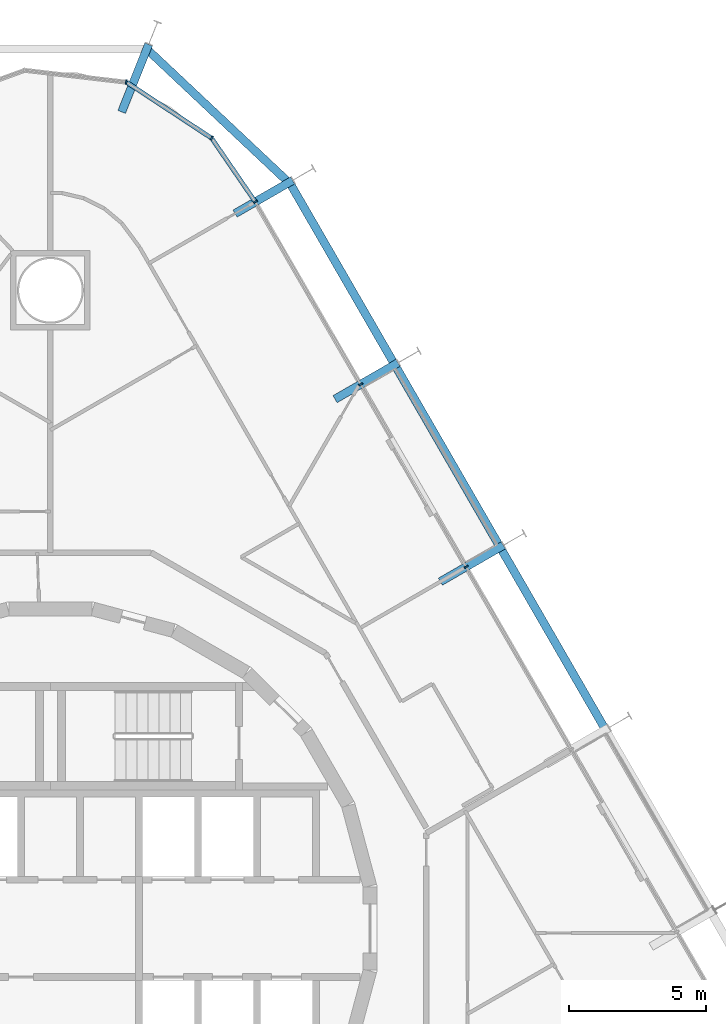
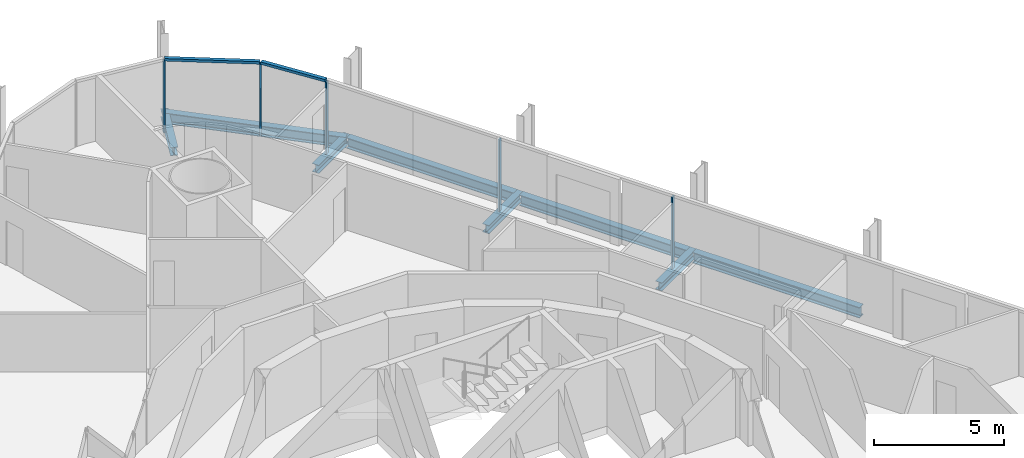
# One storey, part 10 of 19: 8 beams, 7 members, 2 elements without a shape of their own.
"""IFC4 building model written with IfcOpenShell, lengths in metres."""

from ifc_helpers import new_model, si_unit, direction, frame, origin, origin_2d, place, context, subcontext, project, spatial, rectangle, i_section, extrude, material, layer, layer_set, material_profile, profile_set, type_object, element, aggregate, save


model = new_model("IFC4")

# Units and contexts
model_context = context("Model", 3, precision=1e-05, world=origin(), true_north=direction((0.0, 1.0)))
body_context = subcontext(model_context, "Body", "Model", "MODEL_VIEW")
ifc_project = project(units=[si_unit("LENGTHUNIT", "METRE"), si_unit("AREAUNIT", "SQUARE_METRE"), si_unit("VOLUMEUNIT", "CUBIC_METRE"), si_unit("PLANEANGLEUNIT", "RADIAN"), si_unit("MASSUNIT", "GRAM", prefix="KILO")], contexts=[model_context])

# Site, building, storey
site_placement = place(None, origin())
site = spatial("IfcSite", under=ifc_project, at=site_placement, CompositionType="ELEMENT")
building_placement = place(site_placement, origin())
building = spatial("IfcBuilding", under=site, at=building_placement, Name="Spindle Arch Residences", CompositionType="ELEMENT")
storey_placement = place(building_placement, frame((0.0, 0.0, 45.39990234375)))
storey = spatial("IfcBuildingStorey", under=building, at=storey_placement, Name="L09", CompositionType="ELEMENT", Elevation=45.39990234375)

# Curtain wall, members
ifc_material_1 = material(Name="Aluminium bronze unitised frame with tinted glass", Category="aluminium")
ifc_layer_1 = layer(ifc_material_1, 0.159912109375)
ifc_layer_set_1 = layer_set([ifc_layer_1], Name="CW-C typical residential unitised wall")
curtain_wall_type_1 = type_object("IfcCurtainWallType", Name="CW-C typical residential unitised wall", PredefinedType="NOTDEFINED", material=ifc_layer_set_1)
curtain_wall_1_placement = place(storey_placement, origin())
curtain_wall_1 = element("IfcCurtainWall", 1, at=curtain_wall_1_placement, inside=storey, type_object=curtain_wall_type_1, Name="CW-C L09 run 2", PredefinedType="NOTDEFINED")
ifc_material_2 = material(Name="Aluminium bronze anodised mullion", Category="aluminium")
ifc_material_profile_1 = material_profile(ifc_material_2, rectangle(XDim=0.159912109375, YDim=0.06005859375, at=origin_2d()), Name="MU 60x160")
ifc_profile_set_1 = profile_set([ifc_material_profile_1], Name="Aluminium bronze anodised mullion")
member_type_1 = type_object("IfcMemberType", Name="Bronze mullion 60x160", PredefinedType="MULLION", material=ifc_profile_set_1)
member_1_placement = place(storey_placement, frame((15.149169921875, 13.180419921875, -0.3798828125), z_axis=(0.0, 0.0, 1.0), x_axis=(-0.866025403784, -0.5, 0.0)))
member_1 = element("IfcMember", 2, at=member_1_placement, type_object=member_type_1, Name="CW-C mullion 08", PredefinedType="MULLION", context=body_context, shape_type="SweptSolid", body=[
    extrude(rectangle(XDim=0.159912109375, YDim=0.06005859375, at=origin_2d()), origin(), (0.0, 0.0, 1.0), 3.3798828125),
])
member_2_placement = place(storey_placement, frame((11.309326171875, 19.83154296875, -0.3798828125), z_axis=(0.0, 0.0, 1.0), x_axis=(-0.866025403784, -0.5, 0.0)))
member_2 = element("IfcMember", 3, at=member_2_placement, type_object=member_type_1, Name="CW-C mullion 09", PredefinedType="MULLION", context=body_context, shape_type="SweptSolid", body=[
    extrude(rectangle(XDim=0.159912109375, YDim=0.06005859375, at=origin_2d()), origin(), (0.0, 0.0, 1.0), 3.3798828125),
])
aggregate(curtain_wall_1, [member_1, member_2])

ifc_material_3 = material(Name="Aluminium bronze unitised frame with tinted glass", Category="aluminium")
ifc_layer_2 = layer(ifc_material_3, 0.159912109375)
ifc_layer_set_2 = layer_set([ifc_layer_2], Name="CW-D corner wall on the fillet arcs")
curtain_wall_type_2 = type_object("IfcCurtainWallType", Name="CW-D corner wall on the fillet arcs", PredefinedType="NOTDEFINED", material=ifc_layer_set_2)
curtain_wall_2_placement = place(storey_placement, origin())
curtain_wall_2 = element("IfcCurtainWall", 4, at=curtain_wall_2_placement, inside=storey, type_object=curtain_wall_type_2, Name="CW-D L09 run 3", PredefinedType="NOTDEFINED")
member_3_placement = place(storey_placement, frame((7.46923828125, 26.48291015625, -0.3798828125), z_axis=(0.0, 0.0, 1.0), x_axis=(-0.824747802142, -0.565500718711, 0.0)))
member_3 = element("IfcMember", 5, at=member_3_placement, type_object=member_type_1, Name="CW-D mullion 00", PredefinedType="MULLION", context=body_context, shape_type="SweptSolid", body=[
    extrude(rectangle(XDim=0.159912109375, YDim=0.06005859375, at=origin_2d()), origin(), (0.0, 0.0, 1.0), 3.3798828125),
])
member_4_placement = place(storey_placement, frame((5.877197265625, 28.8046875, -0.3798828125), z_axis=(0.0, 0.0, 1.0), x_axis=(-0.549508977628, -0.835487811704, 0.0)))
member_4 = element("IfcMember", 6, at=member_4_placement, type_object=member_type_1, Name="CW-D mullion 01", PredefinedType="MULLION", context=body_context, shape_type="SweptSolid", body=[
    extrude(rectangle(XDim=0.159912109375, YDim=0.06005859375, at=origin_2d()), origin(), (0.0, 0.0, 1.0), 3.3798828125),
])
member_5_placement = place(storey_placement, frame((2.763427734375, 30.8525390625, -0.3798828125), z_axis=(0.0, 0.0, 1.0), x_axis=(-0.116092915414, -0.993238357591, 0.0)))
member_5 = element("IfcMember", 7, at=member_5_placement, type_object=member_type_1, Name="CW-D mullion 02", PredefinedType="MULLION", context=body_context, shape_type="SweptSolid", body=[
    extrude(rectangle(XDim=0.159912109375, YDim=0.06005859375, at=origin_2d()), origin(), (0.0, 0.0, 1.0), 3.3798828125),
])
ifc_material_4 = material(Name="Aluminium bronze anodised transom", Category="aluminium")
ifc_material_profile_2 = material_profile(ifc_material_4, rectangle(XDim=0.159912109375, YDim=0.1201171875, at=origin_2d()), Name="TR 120x160")
ifc_profile_set_2 = profile_set([ifc_material_profile_2], Name="Aluminium bronze anodised transom")
member_type_2 = type_object("IfcMemberType", Name="Bronze transom 120x160", PredefinedType="USERDEFINED", material=ifc_profile_set_2)
member_6_placement = place(storey_placement, frame((7.4521484375, 26.507568359375, 3.06005859375), z_axis=(-0.565490471855, 0.824754827958, 0.0), x_axis=(-0.824754827958, -0.565490471855, 0.0)))
member_6 = element("IfcMember", 8, at=member_6_placement, type_object=member_type_2, Name="CW-D transom 00", ObjectType="TRANSOM", PredefinedType="USERDEFINED", context=body_context, shape_type="SweptSolid", body=[
    extrude(rectangle(XDim=0.159912109375, YDim=0.1201171875, at=origin_2d()), origin(), (0.0, 0.0, 1.0), 2.75537109375),
])
member_7_placement = place(storey_placement, frame((5.85205078125, 28.821044921875, 3.06005859375), z_axis=(-0.835486265536, 0.549511328456, 0.0), x_axis=(-0.549511328456, -0.835486265536, 0.0)))
member_7 = element("IfcMember", 9, at=member_7_placement, type_object=member_type_2, Name="CW-D transom 01", ObjectType="TRANSOM", PredefinedType="USERDEFINED", context=body_context, shape_type="SweptSolid", body=[
    extrude(rectangle(XDim=0.159912109375, YDim=0.1201171875, at=origin_2d()), origin(), (0.0, 0.0, 1.0), 3.666748046875),
])
aggregate(curtain_wall_2, [member_3, member_6, member_4, member_7, member_5])

# Beams
ifc_material_5 = material(Name="Steel S460ML, intumescent coating R 120", Category="steel")
ifc_material_profile_3 = material_profile(ifc_material_5, i_section(OverallWidth=0.300048828125, OverallDepth=0.5, WebThickness=0.014404296875, FlangeThickness=0.028076171875, FilletRadius=0.027099609375, at=origin_2d()), Name="HEB 500")
ifc_profile_set_3 = profile_set([ifc_material_profile_3], Name="Steel S460ML, intumescent coating R 120")
beam_type_1 = type_object("IfcBeamType", Name="Exoskeleton edge beam HEB 500", PredefinedType="BEAM", material=ifc_profile_set_3)
for number, where, z_axis, x_axis, name in (
    (10, (20.165283203125, 7.3583984375, -0.6298828125), (-0.5000139068, 0.866017374541, 0.0), (-0.866017374541, -0.5000139068, 0.0), "Exoskeleton edge beam 8"),
    (11, (16.3251953125, 14.009521484375, -0.6298828125), (-0.49998923004, 0.866031621735, 0.0), (-0.866031621735, -0.49998923004, 0.0), "Exoskeleton edge beam 9"),
):
    element("IfcBeam", number, at=place(storey_placement, frame(where, z_axis=z_axis, x_axis=x_axis)), inside=storey, type_object=beam_type_1, Name=name, PredefinedType="BEAM", context=body_context, shape_type="SweptSolid", body=[
        extrude(i_section(OverallWidth=0.300048828125, OverallDepth=0.5, WebThickness=0.014404296875, FlangeThickness=0.028076171875, FilletRadius=0.027099609375, at=origin_2d()), origin(), (0.0, 0.0, 1.0), 7.420166015625),
    ])
beam_1_placement = place(storey_placement, frame((12.485107421875, 20.660888671875, -0.6298828125), z_axis=(-0.500003477455, 0.866023396066, 0.0), x_axis=(-0.866023396066, -0.500003477455, 0.0)))
element("IfcBeam", 12, at=beam_1_placement, inside=storey, type_object=beam_type_1, Name="Exoskeleton edge beam 10", PredefinedType="BEAM", context=body_context, shape_type="SweptSolid", body=[
    extrude(i_section(OverallWidth=0.300048828125, OverallDepth=0.5, WebThickness=0.014404296875, FlangeThickness=0.028076171875, FilletRadius=0.027099609375, at=origin_2d()), origin(), (0.0, 0.0, 1.0), 7.419921875),
])
beam_2_placement = place(storey_placement, frame((8.739501953125, 27.13818359375, -0.6298828125), z_axis=(-0.728394714383, 0.685157748303, 0.0), x_axis=(-0.685157748303, -0.728394714383, 0.0)))
element("IfcBeam", 13, at=beam_2_placement, inside=storey, type_object=beam_type_1, Name="Exoskeleton edge beam 11", PredefinedType="BEAM", context=body_context, shape_type="SweptSolid", body=[
    extrude(i_section(OverallWidth=0.300048828125, OverallDepth=0.5, WebThickness=0.014404296875, FlangeThickness=0.028076171875, FilletRadius=0.027099609375, at=origin_2d()), origin(), (0.0, 0.0, 1.0), 7.250244140625),
])
ifc_material_6 = material(Name="Steel S460ML, intumescent coating R 120", Category="steel")
ifc_material_profile_4 = material_profile(ifc_material_6, i_section(OverallWidth=0.300048828125, OverallDepth=0.389892578125, WebThickness=0.010986328125, FlangeThickness=0.01904296875, FilletRadius=0.027099609375, at=origin_2d()), Name="HEA 400")
ifc_profile_set_4 = profile_set([ifc_material_profile_4], Name="Steel S460ML, intumescent coating R 120")
beam_type_2 = type_object("IfcBeamType", Name="Floor outrigger HEA 400", PredefinedType="BEAM", material=ifc_profile_set_4)
for number, where, z_axis, x_axis, name in (
    (14, (16.5087890625, 13.965576171875, -0.574951171875), (-0.865989200783, -0.500062700197, 0.0), (0.500062700197, -0.865989200783, 0.0), "Floor outrigger 9"),
    (15, (12.6689453125, 20.61669921875, -0.574951171875), (-0.866052124492, -0.499953715521, 0.0), (0.499953715521, -0.866052124492, 0.0), "Floor outrigger 10"),
):
    element("IfcBeam", number, at=place(storey_placement, frame(where, z_axis=z_axis, x_axis=x_axis)), inside=storey, type_object=beam_type_2, Name=name, PredefinedType="BEAM", context=body_context, shape_type="SweptSolid", body=[
        extrude(i_section(OverallWidth=0.300048828125, OverallDepth=0.389892578125, WebThickness=0.010986328125, FlangeThickness=0.01904296875, FilletRadius=0.027099609375, at=origin_2d()), origin(), (0.0, 0.0, 1.0), 2.650146484375),
    ])
beam_3_placement = place(storey_placement, frame((8.828857421875, 27.267822265625, -0.574951171875), z_axis=(-0.866002732682, -0.500039265445, 0.0), x_axis=(0.500039265445, -0.866002732682, 0.0)))
element("IfcBeam", 16, at=beam_3_placement, inside=storey, type_object=beam_type_2, Name="Floor outrigger 11", PredefinedType="BEAM", context=body_context, shape_type="SweptSolid", body=[
    extrude(i_section(OverallWidth=0.300048828125, OverallDepth=0.389892578125, WebThickness=0.010986328125, FlangeThickness=0.01904296875, FilletRadius=0.027099609375, at=origin_2d()), origin(), (0.0, 0.0, 1.0), 2.423583984375),
])
beam_4_placement = place(storey_placement, frame((3.581298828125, 32.220703125, -0.574951171875), z_axis=(-0.371104734129, -0.928591016706, 0.0), x_axis=(0.928591016706, -0.371104734129, 0.0)))
element("IfcBeam", 17, at=beam_4_placement, inside=storey, type_object=beam_type_2, Name="Floor outrigger 12", PredefinedType="BEAM", context=body_context, shape_type="SweptSolid", body=[
    extrude(i_section(OverallWidth=0.300048828125, OverallDepth=0.389892578125, WebThickness=0.010986328125, FlangeThickness=0.01904296875, FilletRadius=0.027099609375, at=origin_2d()), origin(), (0.0, 0.0, 1.0), 2.64990234375),
])

save(model, "model.ifc")
